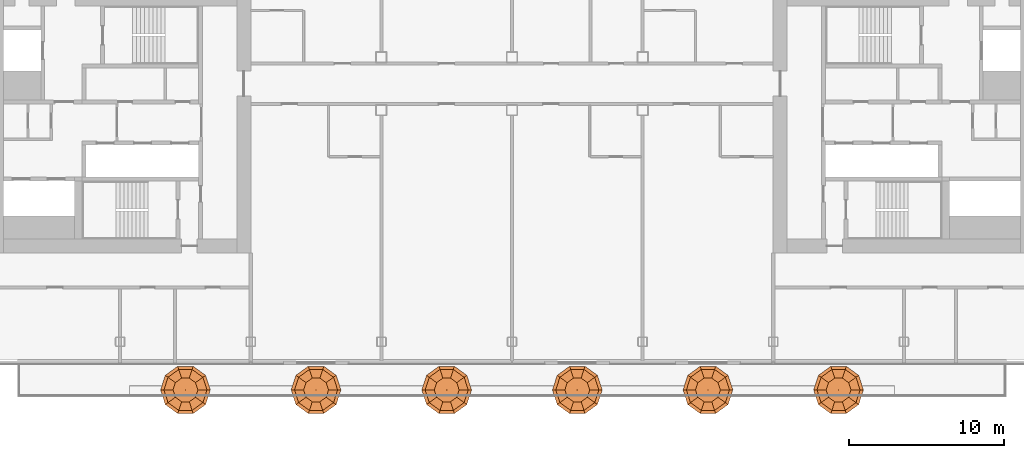
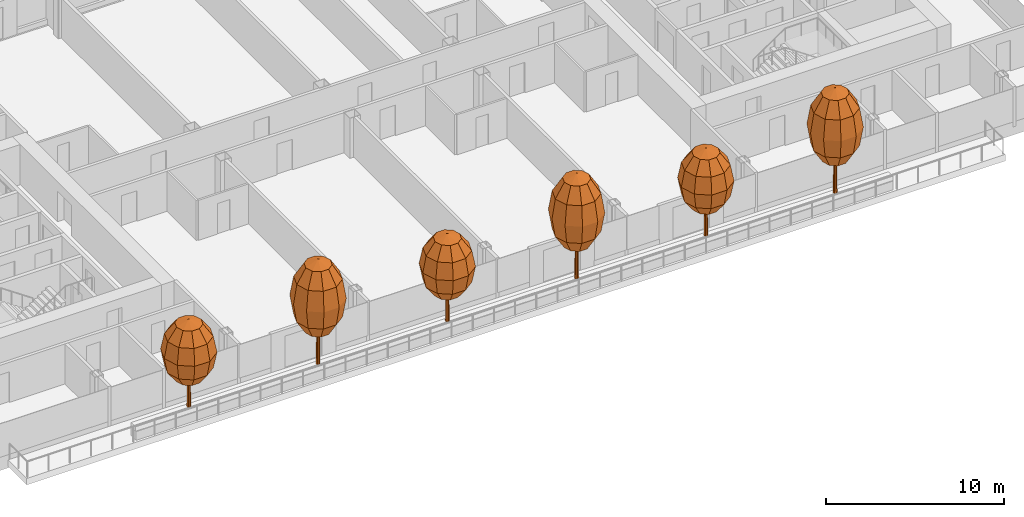
# One storey, part 27 of 28: 6 geographic elements.
"""IFC4 building model written with IfcOpenShell, lengths in metres."""

from ifc_helpers import new_model, si_unit, direction, frame, origin, place, context, subcontext, project, spatial, triangles, material, type_object, element, save


model = new_model("IFC4")

# Units and contexts
model_context = context("Model", 3, precision=1e-05, world=origin(), true_north=direction((0.0, 1.0)))
body_context = subcontext(model_context, "Body", "Model", "MODEL_VIEW")
ifc_project = project(units=[si_unit("LENGTHUNIT", "METRE"), si_unit("AREAUNIT", "SQUARE_METRE"), si_unit("VOLUMEUNIT", "CUBIC_METRE"), si_unit("PLANEANGLEUNIT", "RADIAN"), si_unit("MASSUNIT", "GRAM", prefix="KILO")], contexts=[model_context])

# Site, building, storey
site_placement = place(None, origin())
site = spatial("IfcSite", under=ifc_project, at=site_placement, CompositionType="ELEMENT")
building_placement = place(site_placement, origin())
building = spatial("IfcBuilding", under=site, at=building_placement, Name="Hakoniwa Tower and Hamabe Station Hall", CompositionType="ELEMENT")
storey_placement = place(building_placement, frame((0.0, 0.0, 218.60009765625)))
storey = spatial("IfcBuildingStorey", under=building, at=storey_placement, Name="L62", CompositionType="ELEMENT", Elevation=218.60009765625)

# Geographic elements
ifc_material_1 = material(Name="Tree foliage")
geographic_element_type_1 = type_object("IfcGeographicElementType", Name="Japanese maple 7.2 m", PredefinedType="USERDEFINED", material=ifc_material_1)
geographic_element_1_placement = place(storey_placement, frame((-12.60009765625, -17.199951171875, 0.89990234375)))
element("IfcGeographicElement", 1, at=geographic_element_1_placement, inside=storey, type_object=geographic_element_type_1, Name="Japanese maple 7-2 m", ObjectType="TREE", PredefinedType="USERDEFINED", context=body_context, shape_type="Tessellation", body=[
    triangles([(0.125, 0.0, 0.0), (0.08837890625, 0.08837890625, 0.0), (0.0, 0.125, 0.0), (-0.08837890625, 0.08837890625, 0.0), (-0.125, 0.0, 0.0), (-0.08837890625, -0.08837890625, 0.0), (0.0, -0.125, 0.0), (0.08837890625, -0.08837890625, 0.0), (0.074951171875, 0.0, 4.348876953125), (0.052978515625, 0.052978515625, 4.348876953125), (0.0, 0.074951171875, 4.348876953125), (-0.052978515625, 0.052978515625, 4.348876953125), (-0.074951171875, 0.0, 4.348876953125), (-0.052978515625, -0.052978515625, 4.348876953125), (0.0, -0.074951171875, 4.348876953125), (0.052978515625, -0.052978515625, 4.348876953125), (0.0, 0.0, 0.0), (0.0, 0.0, 4.348876953125)], [[1, 2, 10], [1, 10, 9], [17, 2, 1], [18, 9, 10], [2, 3, 11], [2, 11, 10], [17, 3, 2], [18, 10, 11], [3, 4, 12], [3, 12, 11], [17, 4, 3], [18, 11, 12], [4, 5, 13], [4, 13, 12], [17, 5, 4], [18, 12, 13], [5, 6, 14], [5, 14, 13], [17, 6, 5], [18, 13, 14], [6, 7, 15], [6, 15, 14], [17, 7, 6], [18, 14, 15], [7, 8, 16], [7, 16, 15], [17, 8, 7], [18, 15, 16], [8, 1, 9], [8, 9, 16], [17, 1, 8], [18, 16, 9]], closed=True),
    triangles([(0.0, 0.0, 2.015869140625), (0.800048828125, 0.0, 2.36328125), (0.647216796875, 0.47021484375, 2.36328125), (0.247314453125, 0.7607421875, 2.36328125), (-0.247314453125, 0.7607421875, 2.36328125), (-0.647216796875, 0.47021484375, 2.36328125), (-0.800048828125, 0.0, 2.36328125), (-0.647216796875, -0.47021484375, 2.36328125), (-0.247314453125, -0.7607421875, 2.36328125), (0.247314453125, -0.7607421875, 2.36328125), (0.647216796875, -0.47021484375, 2.36328125), (1.385498046875, 0.0, 3.31201171875), (1.12109375, 0.814453125, 3.31201171875), (0.42822265625, 1.31787109375, 3.31201171875), (-0.42822265625, 1.31787109375, 3.31201171875), (-1.12109375, 0.814453125, 3.31201171875), (-1.385498046875, 0.0, 3.31201171875), (-1.12109375, -0.814453125, 3.31201171875), (-0.42822265625, -1.31787109375, 3.31201171875), (0.42822265625, -1.31787109375, 3.31201171875), (1.12109375, -0.814453125, 3.31201171875), (1.60009765625, 0.0, 4.60791015625), (1.29443359375, 0.9404296875, 4.60791015625), (0.494384765625, 1.521728515625, 4.60791015625), (-0.494384765625, 1.521728515625, 4.60791015625), (-1.29443359375, 0.9404296875, 4.60791015625), (-1.60009765625, 0.0, 4.60791015625), (-1.29443359375, -0.9404296875, 4.60791015625), (-0.494384765625, -1.521728515625, 4.60791015625), (0.494384765625, -1.521728515625, 4.60791015625), (1.29443359375, -0.9404296875, 4.60791015625), (1.385498046875, 0.0, 5.904052734375), (1.12109375, 0.814453125, 5.904052734375), (0.42822265625, 1.31787109375, 5.904052734375), (-0.42822265625, 1.31787109375, 5.904052734375), (-1.12109375, 0.814453125, 5.904052734375), (-1.385498046875, 0.0, 5.904052734375), (-1.12109375, -0.814453125, 5.904052734375), (-0.42822265625, -1.31787109375, 5.904052734375), (0.42822265625, -1.31787109375, 5.904052734375), (1.12109375, -0.814453125, 5.904052734375), (0.800048828125, 0.0, 6.852783203125), (0.647216796875, 0.47021484375, 6.852783203125), (0.247314453125, 0.7607421875, 6.852783203125), (-0.247314453125, 0.7607421875, 6.852783203125), (-0.647216796875, 0.47021484375, 6.852783203125), (-0.800048828125, 0.0, 6.852783203125), (-0.647216796875, -0.47021484375, 6.852783203125), (-0.247314453125, -0.7607421875, 6.852783203125), (0.247314453125, -0.7607421875, 6.852783203125), (0.647216796875, -0.47021484375, 6.852783203125), (0.0, 0.0, 7.199951171875)], [[1, 3, 2], [1, 4, 3], [1, 5, 4], [1, 6, 5], [1, 7, 6], [1, 8, 7], [1, 9, 8], [1, 10, 9], [1, 11, 10], [1, 2, 11], [2, 3, 13], [2, 13, 12], [3, 4, 14], [3, 14, 13], [4, 5, 15], [4, 15, 14], [5, 6, 16], [5, 16, 15], [6, 7, 17], [6, 17, 16], [7, 8, 18], [7, 18, 17], [8, 9, 19], [8, 19, 18], [9, 10, 20], [9, 20, 19], [10, 11, 21], [10, 21, 20], [11, 2, 12], [11, 12, 21], [12, 13, 23], [12, 23, 22], [13, 14, 24], [13, 24, 23], [14, 15, 25], [14, 25, 24], [15, 16, 26], [15, 26, 25], [16, 17, 27], [16, 27, 26], [17, 18, 28], [17, 28, 27], [18, 19, 29], [18, 29, 28], [19, 20, 30], [19, 30, 29], [20, 21, 31], [20, 31, 30], [21, 12, 22], [21, 22, 31], [22, 23, 33], [22, 33, 32], [23, 24, 34], [23, 34, 33], [24, 25, 35], [24, 35, 34], [25, 26, 36], [25, 36, 35], [26, 27, 37], [26, 37, 36], [27, 28, 38], [27, 38, 37], [28, 29, 39], [28, 39, 38], [29, 30, 40], [29, 40, 39], [30, 31, 41], [30, 41, 40], [31, 22, 32], [31, 32, 41], [32, 33, 43], [32, 43, 42], [33, 34, 44], [33, 44, 43], [34, 35, 45], [34, 45, 44], [35, 36, 46], [35, 46, 45], [36, 37, 47], [36, 47, 46], [37, 38, 48], [37, 48, 47], [38, 39, 49], [38, 49, 48], [39, 40, 50], [39, 50, 49], [40, 41, 51], [40, 51, 50], [41, 32, 42], [41, 42, 51], [52, 42, 43], [52, 43, 44], [52, 44, 45], [52, 45, 46], [52, 46, 47], [52, 47, 48], [52, 48, 49], [52, 49, 50], [52, 50, 51], [52, 51, 42]], closed=True),
])
geographic_element_2_placement = place(storey_placement, frame((4.199951171875, -17.199951171875, 0.89990234375)))
element("IfcGeographicElement", 2, at=geographic_element_2_placement, inside=storey, type_object=geographic_element_type_1, Name="Japanese maple 7-2 m", ObjectType="TREE", PredefinedType="USERDEFINED", context=body_context, shape_type="Tessellation", body=[
    triangles([(0.125, 0.0, 0.0), (0.08837890625, 0.08837890625, 0.0), (0.0, 0.125, 0.0), (-0.08837890625, 0.08837890625, 0.0), (-0.125, 0.0, 0.0), (-0.08837890625, -0.08837890625, 0.0), (0.0, -0.125, 0.0), (0.08837890625, -0.08837890625, 0.0), (0.074951171875, 0.0, 4.348876953125), (0.052978515625, 0.052978515625, 4.348876953125), (0.0, 0.074951171875, 4.348876953125), (-0.052978515625, 0.052978515625, 4.348876953125), (-0.074951171875, 0.0, 4.348876953125), (-0.052978515625, -0.052978515625, 4.348876953125), (0.0, -0.074951171875, 4.348876953125), (0.052978515625, -0.052978515625, 4.348876953125), (0.0, 0.0, 0.0), (0.0, 0.0, 4.348876953125)], [[1, 2, 10], [1, 10, 9], [17, 2, 1], [18, 9, 10], [2, 3, 11], [2, 11, 10], [17, 3, 2], [18, 10, 11], [3, 4, 12], [3, 12, 11], [17, 4, 3], [18, 11, 12], [4, 5, 13], [4, 13, 12], [17, 5, 4], [18, 12, 13], [5, 6, 14], [5, 14, 13], [17, 6, 5], [18, 13, 14], [6, 7, 15], [6, 15, 14], [17, 7, 6], [18, 14, 15], [7, 8, 16], [7, 16, 15], [17, 8, 7], [18, 15, 16], [8, 1, 9], [8, 9, 16], [17, 1, 8], [18, 16, 9]], closed=True),
    triangles([(0.0, 0.0, 2.015869140625), (0.800048828125, 0.0, 2.36328125), (0.647216796875, 0.47021484375, 2.36328125), (0.247314453125, 0.7607421875, 2.36328125), (-0.247314453125, 0.7607421875, 2.36328125), (-0.647216796875, 0.47021484375, 2.36328125), (-0.800048828125, 0.0, 2.36328125), (-0.647216796875, -0.47021484375, 2.36328125), (-0.247314453125, -0.7607421875, 2.36328125), (0.247314453125, -0.7607421875, 2.36328125), (0.647216796875, -0.47021484375, 2.36328125), (1.385498046875, 0.0, 3.31201171875), (1.12109375, 0.814453125, 3.31201171875), (0.42822265625, 1.31787109375, 3.31201171875), (-0.42822265625, 1.31787109375, 3.31201171875), (-1.12109375, 0.814453125, 3.31201171875), (-1.385498046875, 0.0, 3.31201171875), (-1.12109375, -0.814453125, 3.31201171875), (-0.42822265625, -1.31787109375, 3.31201171875), (0.42822265625, -1.31787109375, 3.31201171875), (1.12109375, -0.814453125, 3.31201171875), (1.60009765625, 0.0, 4.60791015625), (1.29443359375, 0.9404296875, 4.60791015625), (0.494384765625, 1.521728515625, 4.60791015625), (-0.494384765625, 1.521728515625, 4.60791015625), (-1.29443359375, 0.9404296875, 4.60791015625), (-1.60009765625, 0.0, 4.60791015625), (-1.29443359375, -0.9404296875, 4.60791015625), (-0.494384765625, -1.521728515625, 4.60791015625), (0.494384765625, -1.521728515625, 4.60791015625), (1.29443359375, -0.9404296875, 4.60791015625), (1.385498046875, 0.0, 5.904052734375), (1.12109375, 0.814453125, 5.904052734375), (0.42822265625, 1.31787109375, 5.904052734375), (-0.42822265625, 1.31787109375, 5.904052734375), (-1.12109375, 0.814453125, 5.904052734375), (-1.385498046875, 0.0, 5.904052734375), (-1.12109375, -0.814453125, 5.904052734375), (-0.42822265625, -1.31787109375, 5.904052734375), (0.42822265625, -1.31787109375, 5.904052734375), (1.12109375, -0.814453125, 5.904052734375), (0.800048828125, 0.0, 6.852783203125), (0.647216796875, 0.47021484375, 6.852783203125), (0.247314453125, 0.7607421875, 6.852783203125), (-0.247314453125, 0.7607421875, 6.852783203125), (-0.647216796875, 0.47021484375, 6.852783203125), (-0.800048828125, 0.0, 6.852783203125), (-0.647216796875, -0.47021484375, 6.852783203125), (-0.247314453125, -0.7607421875, 6.852783203125), (0.247314453125, -0.7607421875, 6.852783203125), (0.647216796875, -0.47021484375, 6.852783203125), (0.0, 0.0, 7.199951171875)], [[1, 3, 2], [1, 4, 3], [1, 5, 4], [1, 6, 5], [1, 7, 6], [1, 8, 7], [1, 9, 8], [1, 10, 9], [1, 11, 10], [1, 2, 11], [2, 3, 13], [2, 13, 12], [3, 4, 14], [3, 14, 13], [4, 5, 15], [4, 15, 14], [5, 6, 16], [5, 16, 15], [6, 7, 17], [6, 17, 16], [7, 8, 18], [7, 18, 17], [8, 9, 19], [8, 19, 18], [9, 10, 20], [9, 20, 19], [10, 11, 21], [10, 21, 20], [11, 2, 12], [11, 12, 21], [12, 13, 23], [12, 23, 22], [13, 14, 24], [13, 24, 23], [14, 15, 25], [14, 25, 24], [15, 16, 26], [15, 26, 25], [16, 17, 27], [16, 27, 26], [17, 18, 28], [17, 28, 27], [18, 19, 29], [18, 29, 28], [19, 20, 30], [19, 30, 29], [20, 21, 31], [20, 31, 30], [21, 12, 22], [21, 22, 31], [22, 23, 33], [22, 33, 32], [23, 24, 34], [23, 34, 33], [24, 25, 35], [24, 35, 34], [25, 26, 36], [25, 36, 35], [26, 27, 37], [26, 37, 36], [27, 28, 38], [27, 38, 37], [28, 29, 39], [28, 39, 38], [29, 30, 40], [29, 40, 39], [30, 31, 41], [30, 41, 40], [31, 22, 32], [31, 32, 41], [32, 33, 43], [32, 43, 42], [33, 34, 44], [33, 44, 43], [34, 35, 45], [34, 45, 44], [35, 36, 46], [35, 46, 45], [36, 37, 47], [36, 47, 46], [37, 38, 48], [37, 48, 47], [38, 39, 49], [38, 49, 48], [39, 40, 50], [39, 50, 49], [40, 41, 51], [40, 51, 50], [41, 32, 42], [41, 42, 51], [52, 42, 43], [52, 43, 44], [52, 44, 45], [52, 45, 46], [52, 46, 47], [52, 47, 48], [52, 48, 49], [52, 49, 50], [52, 50, 51], [52, 51, 42]], closed=True),
])
geographic_element_3_placement = place(storey_placement, frame((21.0, -17.199951171875, 0.89990234375)))
element("IfcGeographicElement", 3, at=geographic_element_3_placement, inside=storey, type_object=geographic_element_type_1, Name="Japanese maple 7-2 m", ObjectType="TREE", PredefinedType="USERDEFINED", context=body_context, shape_type="Tessellation", body=[
    triangles([(0.125, 0.0, 0.0), (0.08837890625, 0.08837890625, 0.0), (0.0, 0.125, 0.0), (-0.08837890625, 0.08837890625, 0.0), (-0.125, 0.0, 0.0), (-0.08837890625, -0.08837890625, 0.0), (0.0, -0.125, 0.0), (0.08837890625, -0.08837890625, 0.0), (0.074951171875, 0.0, 4.348876953125), (0.052978515625, 0.052978515625, 4.348876953125), (0.0, 0.074951171875, 4.348876953125), (-0.052978515625, 0.052978515625, 4.348876953125), (-0.074951171875, 0.0, 4.348876953125), (-0.052978515625, -0.052978515625, 4.348876953125), (0.0, -0.074951171875, 4.348876953125), (0.052978515625, -0.052978515625, 4.348876953125), (0.0, 0.0, 0.0), (0.0, 0.0, 4.348876953125)], [[1, 2, 10], [1, 10, 9], [17, 2, 1], [18, 9, 10], [2, 3, 11], [2, 11, 10], [17, 3, 2], [18, 10, 11], [3, 4, 12], [3, 12, 11], [17, 4, 3], [18, 11, 12], [4, 5, 13], [4, 13, 12], [17, 5, 4], [18, 12, 13], [5, 6, 14], [5, 14, 13], [17, 6, 5], [18, 13, 14], [6, 7, 15], [6, 15, 14], [17, 7, 6], [18, 14, 15], [7, 8, 16], [7, 16, 15], [17, 8, 7], [18, 15, 16], [8, 1, 9], [8, 9, 16], [17, 1, 8], [18, 16, 9]], closed=True),
    triangles([(0.0, 0.0, 2.015869140625), (0.800048828125, 0.0, 2.36328125), (0.647216796875, 0.47021484375, 2.36328125), (0.247314453125, 0.7607421875, 2.36328125), (-0.247314453125, 0.7607421875, 2.36328125), (-0.647216796875, 0.47021484375, 2.36328125), (-0.800048828125, 0.0, 2.36328125), (-0.647216796875, -0.47021484375, 2.36328125), (-0.247314453125, -0.7607421875, 2.36328125), (0.247314453125, -0.7607421875, 2.36328125), (0.647216796875, -0.47021484375, 2.36328125), (1.385498046875, 0.0, 3.31201171875), (1.12109375, 0.814453125, 3.31201171875), (0.42822265625, 1.31787109375, 3.31201171875), (-0.42822265625, 1.31787109375, 3.31201171875), (-1.12109375, 0.814453125, 3.31201171875), (-1.385498046875, 0.0, 3.31201171875), (-1.12109375, -0.814453125, 3.31201171875), (-0.42822265625, -1.31787109375, 3.31201171875), (0.42822265625, -1.31787109375, 3.31201171875), (1.12109375, -0.814453125, 3.31201171875), (1.60009765625, 0.0, 4.60791015625), (1.29443359375, 0.9404296875, 4.60791015625), (0.494384765625, 1.521728515625, 4.60791015625), (-0.494384765625, 1.521728515625, 4.60791015625), (-1.29443359375, 0.9404296875, 4.60791015625), (-1.60009765625, 0.0, 4.60791015625), (-1.29443359375, -0.9404296875, 4.60791015625), (-0.494384765625, -1.521728515625, 4.60791015625), (0.494384765625, -1.521728515625, 4.60791015625), (1.29443359375, -0.9404296875, 4.60791015625), (1.385498046875, 0.0, 5.904052734375), (1.12109375, 0.814453125, 5.904052734375), (0.42822265625, 1.31787109375, 5.904052734375), (-0.42822265625, 1.31787109375, 5.904052734375), (-1.12109375, 0.814453125, 5.904052734375), (-1.385498046875, 0.0, 5.904052734375), (-1.12109375, -0.814453125, 5.904052734375), (-0.42822265625, -1.31787109375, 5.904052734375), (0.42822265625, -1.31787109375, 5.904052734375), (1.12109375, -0.814453125, 5.904052734375), (0.800048828125, 0.0, 6.852783203125), (0.647216796875, 0.47021484375, 6.852783203125), (0.247314453125, 0.7607421875, 6.852783203125), (-0.247314453125, 0.7607421875, 6.852783203125), (-0.647216796875, 0.47021484375, 6.852783203125), (-0.800048828125, 0.0, 6.852783203125), (-0.647216796875, -0.47021484375, 6.852783203125), (-0.247314453125, -0.7607421875, 6.852783203125), (0.247314453125, -0.7607421875, 6.852783203125), (0.647216796875, -0.47021484375, 6.852783203125), (0.0, 0.0, 7.199951171875)], [[1, 3, 2], [1, 4, 3], [1, 5, 4], [1, 6, 5], [1, 7, 6], [1, 8, 7], [1, 9, 8], [1, 10, 9], [1, 11, 10], [1, 2, 11], [2, 3, 13], [2, 13, 12], [3, 4, 14], [3, 14, 13], [4, 5, 15], [4, 15, 14], [5, 6, 16], [5, 16, 15], [6, 7, 17], [6, 17, 16], [7, 8, 18], [7, 18, 17], [8, 9, 19], [8, 19, 18], [9, 10, 20], [9, 20, 19], [10, 11, 21], [10, 21, 20], [11, 2, 12], [11, 12, 21], [12, 13, 23], [12, 23, 22], [13, 14, 24], [13, 24, 23], [14, 15, 25], [14, 25, 24], [15, 16, 26], [15, 26, 25], [16, 17, 27], [16, 27, 26], [17, 18, 28], [17, 28, 27], [18, 19, 29], [18, 29, 28], [19, 20, 30], [19, 30, 29], [20, 21, 31], [20, 31, 30], [21, 12, 22], [21, 22, 31], [22, 23, 33], [22, 33, 32], [23, 24, 34], [23, 34, 33], [24, 25, 35], [24, 35, 34], [25, 26, 36], [25, 36, 35], [26, 27, 37], [26, 37, 36], [27, 28, 38], [27, 38, 37], [28, 29, 39], [28, 39, 38], [29, 30, 40], [29, 40, 39], [30, 31, 41], [30, 41, 40], [31, 22, 32], [31, 32, 41], [32, 33, 43], [32, 43, 42], [33, 34, 44], [33, 44, 43], [34, 35, 45], [34, 45, 44], [35, 36, 46], [35, 46, 45], [36, 37, 47], [36, 47, 46], [37, 38, 48], [37, 48, 47], [38, 39, 49], [38, 49, 48], [39, 40, 50], [39, 50, 49], [40, 41, 51], [40, 51, 50], [41, 32, 42], [41, 42, 51], [52, 42, 43], [52, 43, 44], [52, 44, 45], [52, 45, 46], [52, 46, 47], [52, 47, 48], [52, 48, 49], [52, 49, 50], [52, 50, 51], [52, 51, 42]], closed=True),
])
ifc_material_2 = material(Name="Tree foliage")
geographic_element_type_2 = type_object("IfcGeographicElementType", Name="Osmanthus 6.0 m", PredefinedType="USERDEFINED", material=ifc_material_2)
geographic_element_4_placement = place(storey_placement, frame((-21.0, -17.199951171875, 0.89990234375)))
element("IfcGeographicElement", 4, at=geographic_element_4_placement, inside=storey, type_object=geographic_element_type_2, Name="Osmanthus 6-0 m", ObjectType="TREE", PredefinedType="USERDEFINED", context=body_context, shape_type="Tessellation", body=[
    triangles([(0.125, 0.0, 0.0), (0.08837890625, 0.08837890625, 0.0), (0.0, 0.125, 0.0), (-0.08837890625, 0.08837890625, 0.0), (-0.125, 0.0, 0.0), (-0.08837890625, -0.08837890625, 0.0), (0.0, -0.125, 0.0), (0.08837890625, -0.08837890625, 0.0), (0.074951171875, 0.0, 3.6240234375), (0.052978515625, 0.052978515625, 3.6240234375), (0.0, 0.074951171875, 3.6240234375), (-0.052978515625, 0.052978515625, 3.6240234375), (-0.074951171875, 0.0, 3.6240234375), (-0.052978515625, -0.052978515625, 3.6240234375), (0.0, -0.074951171875, 3.6240234375), (0.052978515625, -0.052978515625, 3.6240234375), (0.0, 0.0, 0.0), (0.0, 0.0, 3.6240234375)], [[1, 2, 10], [1, 10, 9], [17, 2, 1], [18, 9, 10], [2, 3, 11], [2, 11, 10], [17, 3, 2], [18, 10, 11], [3, 4, 12], [3, 12, 11], [17, 4, 3], [18, 11, 12], [4, 5, 13], [4, 13, 12], [17, 5, 4], [18, 12, 13], [5, 6, 14], [5, 14, 13], [17, 6, 5], [18, 13, 14], [6, 7, 15], [6, 15, 14], [17, 7, 6], [18, 14, 15], [7, 8, 16], [7, 16, 15], [17, 8, 7], [18, 15, 16], [8, 1, 9], [8, 9, 16], [17, 1, 8], [18, 16, 9]], closed=True),
    triangles([(0.0, 0.0, 1.679931640625), (0.800048828125, 0.0, 1.969482421875), (0.647216796875, 0.47021484375, 1.969482421875), (0.247314453125, 0.7607421875, 1.969482421875), (-0.247314453125, 0.7607421875, 1.969482421875), (-0.647216796875, 0.47021484375, 1.969482421875), (-0.800048828125, 0.0, 1.969482421875), (-0.647216796875, -0.47021484375, 1.969482421875), (-0.247314453125, -0.7607421875, 1.969482421875), (0.247314453125, -0.7607421875, 1.969482421875), (0.647216796875, -0.47021484375, 1.969482421875), (1.385498046875, 0.0, 2.760009765625), (1.12109375, 0.814453125, 2.760009765625), (0.42822265625, 1.31787109375, 2.760009765625), (-0.42822265625, 1.31787109375, 2.760009765625), (-1.12109375, 0.814453125, 2.760009765625), (-1.385498046875, 0.0, 2.760009765625), (-1.12109375, -0.814453125, 2.760009765625), (-0.42822265625, -1.31787109375, 2.760009765625), (0.42822265625, -1.31787109375, 2.760009765625), (1.12109375, -0.814453125, 2.760009765625), (1.60009765625, 0.0, 3.840087890625), (1.29443359375, 0.9404296875, 3.840087890625), (0.494384765625, 1.521728515625, 3.840087890625), (-0.494384765625, 1.521728515625, 3.840087890625), (-1.29443359375, 0.9404296875, 3.840087890625), (-1.60009765625, 0.0, 3.840087890625), (-1.29443359375, -0.9404296875, 3.840087890625), (-0.494384765625, -1.521728515625, 3.840087890625), (0.494384765625, -1.521728515625, 3.840087890625), (1.29443359375, -0.9404296875, 3.840087890625), (1.385498046875, 0.0, 4.919921875), (1.12109375, 0.814453125, 4.919921875), (0.42822265625, 1.31787109375, 4.919921875), (-0.42822265625, 1.31787109375, 4.919921875), (-1.12109375, 0.814453125, 4.919921875), (-1.385498046875, 0.0, 4.919921875), (-1.12109375, -0.814453125, 4.919921875), (-0.42822265625, -1.31787109375, 4.919921875), (0.42822265625, -1.31787109375, 4.919921875), (1.12109375, -0.814453125, 4.919921875), (0.800048828125, 0.0, 5.710693359375), (0.647216796875, 0.47021484375, 5.710693359375), (0.247314453125, 0.7607421875, 5.710693359375), (-0.247314453125, 0.7607421875, 5.710693359375), (-0.647216796875, 0.47021484375, 5.710693359375), (-0.800048828125, 0.0, 5.710693359375), (-0.647216796875, -0.47021484375, 5.710693359375), (-0.247314453125, -0.7607421875, 5.710693359375), (0.247314453125, -0.7607421875, 5.710693359375), (0.647216796875, -0.47021484375, 5.710693359375), (0.0, 0.0, 6.0)], [[1, 3, 2], [1, 4, 3], [1, 5, 4], [1, 6, 5], [1, 7, 6], [1, 8, 7], [1, 9, 8], [1, 10, 9], [1, 11, 10], [1, 2, 11], [2, 3, 13], [2, 13, 12], [3, 4, 14], [3, 14, 13], [4, 5, 15], [4, 15, 14], [5, 6, 16], [5, 16, 15], [6, 7, 17], [6, 17, 16], [7, 8, 18], [7, 18, 17], [8, 9, 19], [8, 19, 18], [9, 10, 20], [9, 20, 19], [10, 11, 21], [10, 21, 20], [11, 2, 12], [11, 12, 21], [12, 13, 23], [12, 23, 22], [13, 14, 24], [13, 24, 23], [14, 15, 25], [14, 25, 24], [15, 16, 26], [15, 26, 25], [16, 17, 27], [16, 27, 26], [17, 18, 28], [17, 28, 27], [18, 19, 29], [18, 29, 28], [19, 20, 30], [19, 30, 29], [20, 21, 31], [20, 31, 30], [21, 12, 22], [21, 22, 31], [22, 23, 33], [22, 33, 32], [23, 24, 34], [23, 34, 33], [24, 25, 35], [24, 35, 34], [25, 26, 36], [25, 36, 35], [26, 27, 37], [26, 37, 36], [27, 28, 38], [27, 38, 37], [28, 29, 39], [28, 39, 38], [29, 30, 40], [29, 40, 39], [30, 31, 41], [30, 41, 40], [31, 22, 32], [31, 32, 41], [32, 33, 43], [32, 43, 42], [33, 34, 44], [33, 44, 43], [34, 35, 45], [34, 45, 44], [35, 36, 46], [35, 46, 45], [36, 37, 47], [36, 47, 46], [37, 38, 48], [37, 48, 47], [38, 39, 49], [38, 49, 48], [39, 40, 50], [39, 50, 49], [40, 41, 51], [40, 51, 50], [41, 32, 42], [41, 42, 51], [52, 42, 43], [52, 43, 44], [52, 44, 45], [52, 45, 46], [52, 46, 47], [52, 47, 48], [52, 48, 49], [52, 49, 50], [52, 50, 51], [52, 51, 42]], closed=True),
])
geographic_element_5_placement = place(storey_placement, frame((-4.199951171875, -17.199951171875, 0.89990234375)))
element("IfcGeographicElement", 5, at=geographic_element_5_placement, inside=storey, type_object=geographic_element_type_2, Name="Osmanthus 6-0 m", ObjectType="TREE", PredefinedType="USERDEFINED", context=body_context, shape_type="Tessellation", body=[
    triangles([(0.125, 0.0, 0.0), (0.08837890625, 0.08837890625, 0.0), (0.0, 0.125, 0.0), (-0.08837890625, 0.08837890625, 0.0), (-0.125, 0.0, 0.0), (-0.08837890625, -0.08837890625, 0.0), (0.0, -0.125, 0.0), (0.08837890625, -0.08837890625, 0.0), (0.074951171875, 0.0, 3.6240234375), (0.052978515625, 0.052978515625, 3.6240234375), (0.0, 0.074951171875, 3.6240234375), (-0.052978515625, 0.052978515625, 3.6240234375), (-0.074951171875, 0.0, 3.6240234375), (-0.052978515625, -0.052978515625, 3.6240234375), (0.0, -0.074951171875, 3.6240234375), (0.052978515625, -0.052978515625, 3.6240234375), (0.0, 0.0, 0.0), (0.0, 0.0, 3.6240234375)], [[1, 2, 10], [1, 10, 9], [17, 2, 1], [18, 9, 10], [2, 3, 11], [2, 11, 10], [17, 3, 2], [18, 10, 11], [3, 4, 12], [3, 12, 11], [17, 4, 3], [18, 11, 12], [4, 5, 13], [4, 13, 12], [17, 5, 4], [18, 12, 13], [5, 6, 14], [5, 14, 13], [17, 6, 5], [18, 13, 14], [6, 7, 15], [6, 15, 14], [17, 7, 6], [18, 14, 15], [7, 8, 16], [7, 16, 15], [17, 8, 7], [18, 15, 16], [8, 1, 9], [8, 9, 16], [17, 1, 8], [18, 16, 9]], closed=True),
    triangles([(0.0, 0.0, 1.679931640625), (0.800048828125, 0.0, 1.969482421875), (0.647216796875, 0.47021484375, 1.969482421875), (0.247314453125, 0.7607421875, 1.969482421875), (-0.247314453125, 0.7607421875, 1.969482421875), (-0.647216796875, 0.47021484375, 1.969482421875), (-0.800048828125, 0.0, 1.969482421875), (-0.647216796875, -0.47021484375, 1.969482421875), (-0.247314453125, -0.7607421875, 1.969482421875), (0.247314453125, -0.7607421875, 1.969482421875), (0.647216796875, -0.47021484375, 1.969482421875), (1.385498046875, 0.0, 2.760009765625), (1.12109375, 0.814453125, 2.760009765625), (0.42822265625, 1.31787109375, 2.760009765625), (-0.42822265625, 1.31787109375, 2.760009765625), (-1.12109375, 0.814453125, 2.760009765625), (-1.385498046875, 0.0, 2.760009765625), (-1.12109375, -0.814453125, 2.760009765625), (-0.42822265625, -1.31787109375, 2.760009765625), (0.42822265625, -1.31787109375, 2.760009765625), (1.12109375, -0.814453125, 2.760009765625), (1.60009765625, 0.0, 3.840087890625), (1.29443359375, 0.9404296875, 3.840087890625), (0.494384765625, 1.521728515625, 3.840087890625), (-0.494384765625, 1.521728515625, 3.840087890625), (-1.29443359375, 0.9404296875, 3.840087890625), (-1.60009765625, 0.0, 3.840087890625), (-1.29443359375, -0.9404296875, 3.840087890625), (-0.494384765625, -1.521728515625, 3.840087890625), (0.494384765625, -1.521728515625, 3.840087890625), (1.29443359375, -0.9404296875, 3.840087890625), (1.385498046875, 0.0, 4.919921875), (1.12109375, 0.814453125, 4.919921875), (0.42822265625, 1.31787109375, 4.919921875), (-0.42822265625, 1.31787109375, 4.919921875), (-1.12109375, 0.814453125, 4.919921875), (-1.385498046875, 0.0, 4.919921875), (-1.12109375, -0.814453125, 4.919921875), (-0.42822265625, -1.31787109375, 4.919921875), (0.42822265625, -1.31787109375, 4.919921875), (1.12109375, -0.814453125, 4.919921875), (0.800048828125, 0.0, 5.710693359375), (0.647216796875, 0.47021484375, 5.710693359375), (0.247314453125, 0.7607421875, 5.710693359375), (-0.247314453125, 0.7607421875, 5.710693359375), (-0.647216796875, 0.47021484375, 5.710693359375), (-0.800048828125, 0.0, 5.710693359375), (-0.647216796875, -0.47021484375, 5.710693359375), (-0.247314453125, -0.7607421875, 5.710693359375), (0.247314453125, -0.7607421875, 5.710693359375), (0.647216796875, -0.47021484375, 5.710693359375), (0.0, 0.0, 6.0)], [[1, 3, 2], [1, 4, 3], [1, 5, 4], [1, 6, 5], [1, 7, 6], [1, 8, 7], [1, 9, 8], [1, 10, 9], [1, 11, 10], [1, 2, 11], [2, 3, 13], [2, 13, 12], [3, 4, 14], [3, 14, 13], [4, 5, 15], [4, 15, 14], [5, 6, 16], [5, 16, 15], [6, 7, 17], [6, 17, 16], [7, 8, 18], [7, 18, 17], [8, 9, 19], [8, 19, 18], [9, 10, 20], [9, 20, 19], [10, 11, 21], [10, 21, 20], [11, 2, 12], [11, 12, 21], [12, 13, 23], [12, 23, 22], [13, 14, 24], [13, 24, 23], [14, 15, 25], [14, 25, 24], [15, 16, 26], [15, 26, 25], [16, 17, 27], [16, 27, 26], [17, 18, 28], [17, 28, 27], [18, 19, 29], [18, 29, 28], [19, 20, 30], [19, 30, 29], [20, 21, 31], [20, 31, 30], [21, 12, 22], [21, 22, 31], [22, 23, 33], [22, 33, 32], [23, 24, 34], [23, 34, 33], [24, 25, 35], [24, 35, 34], [25, 26, 36], [25, 36, 35], [26, 27, 37], [26, 37, 36], [27, 28, 38], [27, 38, 37], [28, 29, 39], [28, 39, 38], [29, 30, 40], [29, 40, 39], [30, 31, 41], [30, 41, 40], [31, 22, 32], [31, 32, 41], [32, 33, 43], [32, 43, 42], [33, 34, 44], [33, 44, 43], [34, 35, 45], [34, 45, 44], [35, 36, 46], [35, 46, 45], [36, 37, 47], [36, 47, 46], [37, 38, 48], [37, 48, 47], [38, 39, 49], [38, 49, 48], [39, 40, 50], [39, 50, 49], [40, 41, 51], [40, 51, 50], [41, 32, 42], [41, 42, 51], [52, 42, 43], [52, 43, 44], [52, 44, 45], [52, 45, 46], [52, 46, 47], [52, 47, 48], [52, 48, 49], [52, 49, 50], [52, 50, 51], [52, 51, 42]], closed=True),
])
geographic_element_6_placement = place(storey_placement, frame((12.60009765625, -17.199951171875, 0.89990234375)))
element("IfcGeographicElement", 6, at=geographic_element_6_placement, inside=storey, type_object=geographic_element_type_2, Name="Osmanthus 6-0 m", ObjectType="TREE", PredefinedType="USERDEFINED", context=body_context, shape_type="Tessellation", body=[
    triangles([(0.125, 0.0, 0.0), (0.08837890625, 0.08837890625, 0.0), (0.0, 0.125, 0.0), (-0.08837890625, 0.08837890625, 0.0), (-0.125, 0.0, 0.0), (-0.08837890625, -0.08837890625, 0.0), (0.0, -0.125, 0.0), (0.08837890625, -0.08837890625, 0.0), (0.074951171875, 0.0, 3.6240234375), (0.052978515625, 0.052978515625, 3.6240234375), (0.0, 0.074951171875, 3.6240234375), (-0.052978515625, 0.052978515625, 3.6240234375), (-0.074951171875, 0.0, 3.6240234375), (-0.052978515625, -0.052978515625, 3.6240234375), (0.0, -0.074951171875, 3.6240234375), (0.052978515625, -0.052978515625, 3.6240234375), (0.0, 0.0, 0.0), (0.0, 0.0, 3.6240234375)], [[1, 2, 10], [1, 10, 9], [17, 2, 1], [18, 9, 10], [2, 3, 11], [2, 11, 10], [17, 3, 2], [18, 10, 11], [3, 4, 12], [3, 12, 11], [17, 4, 3], [18, 11, 12], [4, 5, 13], [4, 13, 12], [17, 5, 4], [18, 12, 13], [5, 6, 14], [5, 14, 13], [17, 6, 5], [18, 13, 14], [6, 7, 15], [6, 15, 14], [17, 7, 6], [18, 14, 15], [7, 8, 16], [7, 16, 15], [17, 8, 7], [18, 15, 16], [8, 1, 9], [8, 9, 16], [17, 1, 8], [18, 16, 9]], closed=True),
    triangles([(0.0, 0.0, 1.679931640625), (0.800048828125, 0.0, 1.969482421875), (0.647216796875, 0.47021484375, 1.969482421875), (0.247314453125, 0.7607421875, 1.969482421875), (-0.247314453125, 0.7607421875, 1.969482421875), (-0.647216796875, 0.47021484375, 1.969482421875), (-0.800048828125, 0.0, 1.969482421875), (-0.647216796875, -0.47021484375, 1.969482421875), (-0.247314453125, -0.7607421875, 1.969482421875), (0.247314453125, -0.7607421875, 1.969482421875), (0.647216796875, -0.47021484375, 1.969482421875), (1.385498046875, 0.0, 2.760009765625), (1.12109375, 0.814453125, 2.760009765625), (0.42822265625, 1.31787109375, 2.760009765625), (-0.42822265625, 1.31787109375, 2.760009765625), (-1.12109375, 0.814453125, 2.760009765625), (-1.385498046875, 0.0, 2.760009765625), (-1.12109375, -0.814453125, 2.760009765625), (-0.42822265625, -1.31787109375, 2.760009765625), (0.42822265625, -1.31787109375, 2.760009765625), (1.12109375, -0.814453125, 2.760009765625), (1.60009765625, 0.0, 3.840087890625), (1.29443359375, 0.9404296875, 3.840087890625), (0.494384765625, 1.521728515625, 3.840087890625), (-0.494384765625, 1.521728515625, 3.840087890625), (-1.29443359375, 0.9404296875, 3.840087890625), (-1.60009765625, 0.0, 3.840087890625), (-1.29443359375, -0.9404296875, 3.840087890625), (-0.494384765625, -1.521728515625, 3.840087890625), (0.494384765625, -1.521728515625, 3.840087890625), (1.29443359375, -0.9404296875, 3.840087890625), (1.385498046875, 0.0, 4.919921875), (1.12109375, 0.814453125, 4.919921875), (0.42822265625, 1.31787109375, 4.919921875), (-0.42822265625, 1.31787109375, 4.919921875), (-1.12109375, 0.814453125, 4.919921875), (-1.385498046875, 0.0, 4.919921875), (-1.12109375, -0.814453125, 4.919921875), (-0.42822265625, -1.31787109375, 4.919921875), (0.42822265625, -1.31787109375, 4.919921875), (1.12109375, -0.814453125, 4.919921875), (0.800048828125, 0.0, 5.710693359375), (0.647216796875, 0.47021484375, 5.710693359375), (0.247314453125, 0.7607421875, 5.710693359375), (-0.247314453125, 0.7607421875, 5.710693359375), (-0.647216796875, 0.47021484375, 5.710693359375), (-0.800048828125, 0.0, 5.710693359375), (-0.647216796875, -0.47021484375, 5.710693359375), (-0.247314453125, -0.7607421875, 5.710693359375), (0.247314453125, -0.7607421875, 5.710693359375), (0.647216796875, -0.47021484375, 5.710693359375), (0.0, 0.0, 6.0)], [[1, 3, 2], [1, 4, 3], [1, 5, 4], [1, 6, 5], [1, 7, 6], [1, 8, 7], [1, 9, 8], [1, 10, 9], [1, 11, 10], [1, 2, 11], [2, 3, 13], [2, 13, 12], [3, 4, 14], [3, 14, 13], [4, 5, 15], [4, 15, 14], [5, 6, 16], [5, 16, 15], [6, 7, 17], [6, 17, 16], [7, 8, 18], [7, 18, 17], [8, 9, 19], [8, 19, 18], [9, 10, 20], [9, 20, 19], [10, 11, 21], [10, 21, 20], [11, 2, 12], [11, 12, 21], [12, 13, 23], [12, 23, 22], [13, 14, 24], [13, 24, 23], [14, 15, 25], [14, 25, 24], [15, 16, 26], [15, 26, 25], [16, 17, 27], [16, 27, 26], [17, 18, 28], [17, 28, 27], [18, 19, 29], [18, 29, 28], [19, 20, 30], [19, 30, 29], [20, 21, 31], [20, 31, 30], [21, 12, 22], [21, 22, 31], [22, 23, 33], [22, 33, 32], [23, 24, 34], [23, 34, 33], [24, 25, 35], [24, 35, 34], [25, 26, 36], [25, 36, 35], [26, 27, 37], [26, 37, 36], [27, 28, 38], [27, 38, 37], [28, 29, 39], [28, 39, 38], [29, 30, 40], [29, 40, 39], [30, 31, 41], [30, 41, 40], [31, 22, 32], [31, 32, 41], [32, 33, 43], [32, 43, 42], [33, 34, 44], [33, 44, 43], [34, 35, 45], [34, 45, 44], [35, 36, 46], [35, 46, 45], [36, 37, 47], [36, 47, 46], [37, 38, 48], [37, 48, 47], [38, 39, 49], [38, 49, 48], [39, 40, 50], [39, 50, 49], [40, 41, 51], [40, 51, 50], [41, 32, 42], [41, 42, 51], [52, 42, 43], [52, 43, 44], [52, 44, 45], [52, 45, 46], [52, 46, 47], [52, 47, 48], [52, 48, 49], [52, 49, 50], [52, 50, 51], [52, 51, 42]], closed=True),
])

save(model, "model.ifc")
